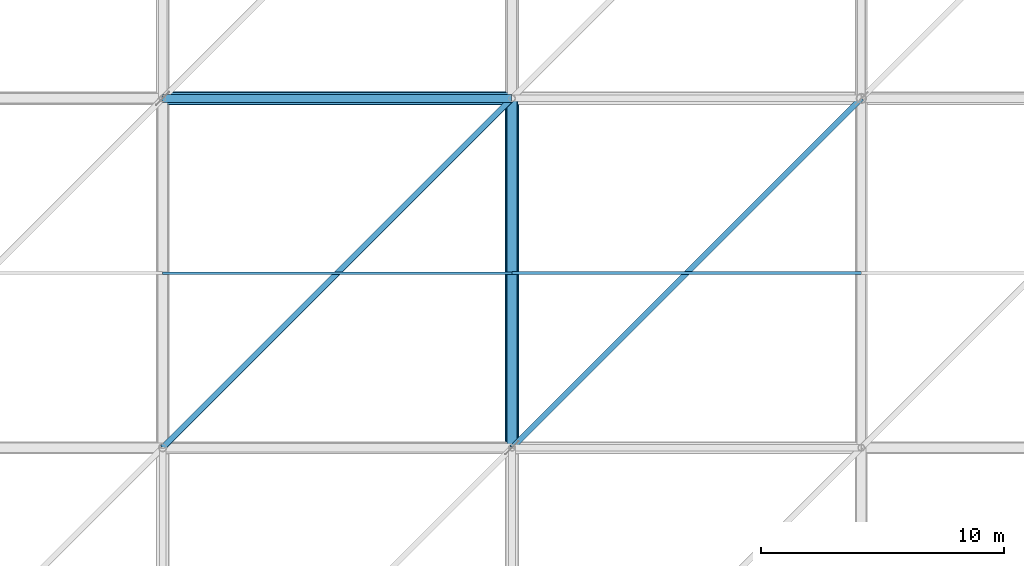
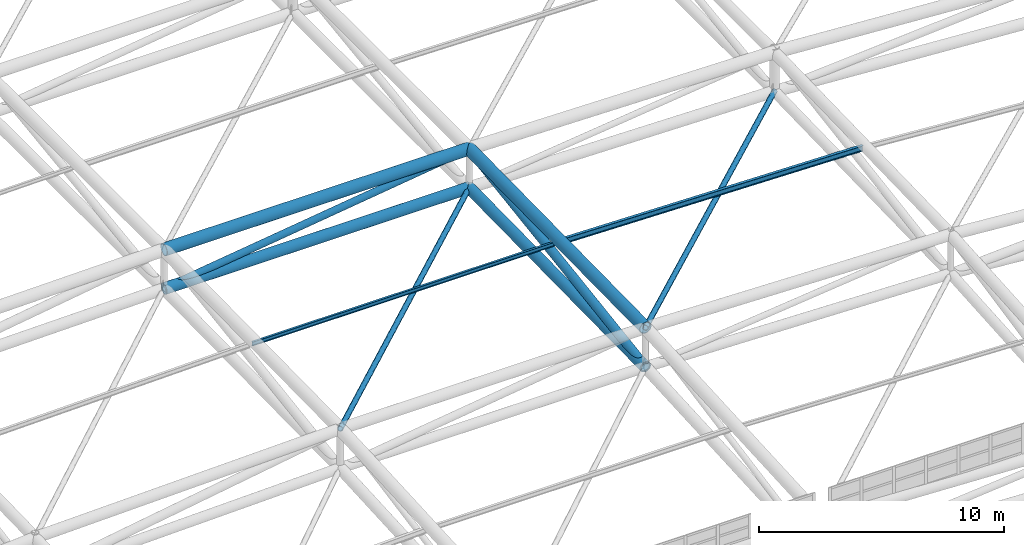
# One storey, part 134 of 397: 6 members, 4 beams.
"""IFC4 building model written with IfcOpenShell, lengths in metres."""

from ifc_helpers import new_model, si_unit, direction, frame, origin, origin_2d, place, context, subcontext, project, spatial, hollow_circle, i_section, extrude, material, material_profile, profile_set, type_object, element, save


model = new_model("IFC4")

# Units and contexts
model_context = context("Model", 3, precision=1e-05, world=origin(), true_north=direction((0.0, 1.0)))
body_context = subcontext(model_context, "Body", "Model", "MODEL_VIEW")
ifc_project = project(units=[si_unit("LENGTHUNIT", "METRE"), si_unit("AREAUNIT", "SQUARE_METRE"), si_unit("VOLUMEUNIT", "CUBIC_METRE"), si_unit("PLANEANGLEUNIT", "RADIAN"), si_unit("MASSUNIT", "GRAM", prefix="KILO")], contexts=[model_context])

# Site, building, storey
site_placement = place(None, origin())
site = spatial("IfcSite", under=ifc_project, at=site_placement, CompositionType="ELEMENT")
building_placement = place(site_placement, origin())
building = spatial("IfcBuilding", under=site, at=building_placement, Name="Qandorah Velis Arena", CompositionType="ELEMENT")
storey_placement = place(building_placement, frame((0.0, 0.0, 27.5)))
storey = spatial("IfcBuildingStorey", under=building, at=storey_placement, Name="RF", CompositionType="ELEMENT", Elevation=27.5)

# Members
ifc_material = material(Name="Steel S355", Category="steel")
ifc_material_profile_1 = material_profile(ifc_material, i_section(OverallWidth=0.10009765625, OverallDepth=0.199951171875, WebThickness=0.005615234375, FlangeThickness=0.008544921875, FilletRadius=0.011962890625, at=origin_2d()), Name="IPE 200")
ifc_profile_set_1 = profile_set([ifc_material_profile_1], Name="Steel S355")
member_type_1 = type_object("IfcMemberType", Name="STR-PRL-IPE200", PredefinedType="PURLIN", material=ifc_profile_set_1)
member_1_placement = place(storey_placement, frame((57.60009765625, 50.39990234375, 10.257568359375), z_axis=(1.0, 0.0, 0.0), x_axis=(0.0, 1.0, 0.0)))
element("IfcMember", 1, at=member_1_placement, inside=storey, type_object=member_type_1, Name="Arena roof purlin PRL-3.2", PredefinedType="PURLIN", context=body_context, shape_type="SweptSolid", body=[
    extrude(i_section(OverallWidth=0.10009765625, OverallDepth=0.199951171875, WebThickness=0.005615234375, FlangeThickness=0.008544921875, FilletRadius=0.011962890625, at=origin_2d()), origin(), (0.0, 0.0, 1.0), 14.39990234375),
])
ifc_material_profile_2 = material_profile(ifc_material, i_section(OverallWidth=0.135009765625, OverallDepth=0.27001953125, WebThickness=0.006591796875, FlangeThickness=0.01025390625, FilletRadius=0.014892578125, at=origin_2d()), Name="IPE 270")
ifc_profile_set_2 = profile_set([ifc_material_profile_2], Name="Steel S355")
member_type_2 = type_object("IfcMemberType", Name="STR-PRL-IPE270", PredefinedType="PURLIN", material=ifc_profile_set_2)
member_2_placement = place(storey_placement, frame((72.0, 50.39990234375, 10.257568359375), z_axis=(0.999770450895, 0.0, -0.021425347562), x_axis=(0.0, 1.0, 0.0)))
element("IfcMember", 2, at=member_2_placement, inside=storey, type_object=member_type_2, Name="Arena roof purlin PRL-4.2", PredefinedType="PURLIN", context=body_context, shape_type="SweptSolid", body=[
    extrude(i_section(OverallWidth=0.135009765625, OverallDepth=0.27001953125, WebThickness=0.006591796875, FlangeThickness=0.01025390625, FilletRadius=0.014892578125, at=origin_2d()), origin(), (0.0, 0.0, 1.0), 14.4033203125),
])

# Beams
ifc_material_profile_3 = material_profile(ifc_material, hollow_circle(Radius=0.25390625, WallThickness=0.02490234375, at=origin_2d()), Name="CHS 508x25")
ifc_profile_set_3 = profile_set([ifc_material_profile_3], Name="Steel S355")
beam_type_1 = type_object("IfcBeamType", Name="STR-SFC-CHS508X25", PredefinedType="USERDEFINED", material=ifc_profile_set_3)
beam_1_placement = place(storey_placement, frame((72.0, 43.199951171875, 8.42333984375), z_axis=(0.0, 0.999895199404, 0.014477230732), x_axis=(-1.0, 0.0, 0.0)))
element("IfcBeam", 3, at=beam_1_placement, inside=storey, type_object=beam_type_1, Name="Space frame roof truss bottom chord Y 4.2", ObjectType="ROOF TRUSS", PredefinedType="USERDEFINED", context=body_context, shape_type="SweptSolid", body=[
    extrude(hollow_circle(Radius=0.25390625, WallThickness=0.02490234375, at=origin_2d()), origin(), (0.0, 0.0, 1.0), 14.401611328125),
])
beam_2_placement = place(storey_placement, frame((57.60009765625, 57.60009765625, 8.6318359375), z_axis=(1.0, 0.0, 0.0), x_axis=(0.0, 1.0, 0.0)))
element("IfcBeam", 4, at=beam_2_placement, inside=storey, type_object=beam_type_1, Name="Space frame roof truss bottom chord X 3.3", ObjectType="ROOF TRUSS", PredefinedType="USERDEFINED", context=body_context, shape_type="SweptSolid", body=[
    extrude(hollow_circle(Radius=0.25390625, WallThickness=0.02490234375, at=origin_2d()), origin(), (0.0, 0.0, 1.0), 14.39990234375),
])
ifc_material_profile_4 = material_profile(ifc_material, hollow_circle(Radius=0.279541015625, WallThickness=0.02490234375, at=origin_2d()), Name="CHS 559x25")
ifc_profile_set_4 = profile_set([ifc_material_profile_4], Name="Steel S355")
beam_type_2 = type_object("IfcBeamType", Name="STR-SFC-CHS559X25", PredefinedType="USERDEFINED", material=ifc_profile_set_4)
beam_3_placement = place(storey_placement, frame((72.0, 43.199951171875, 10.373291015625), z_axis=(0.0, 0.999895199404, 0.014477230732), x_axis=(-1.0, 0.0, 0.0)))
element("IfcBeam", 5, at=beam_3_placement, inside=storey, type_object=beam_type_2, Name="Space frame roof truss top chord Y 4.2", ObjectType="ROOF TRUSS", PredefinedType="USERDEFINED", context=body_context, shape_type="SweptSolid", body=[
    extrude(hollow_circle(Radius=0.279541015625, WallThickness=0.02490234375, at=origin_2d()), origin(), (0.0, 0.0, 1.0), 14.401611328125),
])
beam_4_placement = place(storey_placement, frame((57.60009765625, 57.60009765625, 10.581787109375), z_axis=(1.0, 0.0, 0.0), x_axis=(0.0, 1.0, 0.0)))
element("IfcBeam", 6, at=beam_4_placement, inside=storey, type_object=beam_type_2, Name="Space frame roof truss top chord X 3.3", ObjectType="ROOF TRUSS", PredefinedType="USERDEFINED", context=body_context, shape_type="SweptSolid", body=[
    extrude(hollow_circle(Radius=0.279541015625, WallThickness=0.02490234375, at=origin_2d()), origin(), (0.0, 0.0, 1.0), 14.39990234375),
])

# Members
ifc_material_profile_5 = material_profile(ifc_material, hollow_circle(Radius=0.122314453125, WallThickness=0.012451171875, at=origin_2d()), Name="CHS 244.5x12.5")
ifc_profile_set_5 = profile_set([ifc_material_profile_5], Name="Steel S355")
member_type_3 = type_object("IfcMemberType", Name="STR-SFD-CHS244X12", PredefinedType="STRUT", material=ifc_profile_set_5)
member_3_placement = place(storey_placement, frame((72.0, 57.60009765625, 8.6318359375), z_axis=(-0.704529529731, -0.704541474553, 0.085202419985), x_axis=(0.707112775369, -0.707100786953, 0.0)))
element("IfcMember", 7, at=member_3_placement, inside=storey, type_object=member_type_3, Name="Space frame roof spatial diagonal 3.2", PredefinedType="STRUT", context=body_context, shape_type="SweptSolid", body=[
    extrude(hollow_circle(Radius=0.122314453125, WallThickness=0.012451171875, at=origin_2d()), origin(), (0.0, 0.0, 1.0), 20.43896484375),
])
member_4_placement = place(storey_placement, frame((86.39990234375, 57.60009765625, 8.39892578125), z_axis=(-0.703800882204, -0.703812814672, 0.096497876206), x_axis=(0.707112775369, -0.707100786953, 0.0)))
element("IfcMember", 8, at=member_4_placement, inside=storey, type_object=member_type_3, Name="Space frame roof spatial diagonal 4.2", PredefinedType="STRUT", context=body_context, shape_type="SweptSolid", body=[
    extrude(hollow_circle(Radius=0.122314453125, WallThickness=0.012451171875, at=origin_2d()), origin(), (0.0, 0.0, 1.0), 20.460205078125),
])
ifc_material_profile_6 = material_profile(ifc_material, hollow_circle(Radius=0.161865234375, WallThickness=0.01611328125, at=origin_2d()), Name="CHS 323.9x16")
ifc_profile_set_6 = profile_set([ifc_material_profile_6], Name="Steel S355")
member_type_4 = type_object("IfcMemberType", Name="STR-SFD-CHS323X16", PredefinedType="CHORD", material=ifc_profile_set_6)
member_5_placement = place(storey_placement, frame((57.60009765625, 57.60009765625, 8.6318359375), z_axis=(0.990955693773, 0.0, 0.134189466721), x_axis=(0.0, 1.0, 0.0)))
element("IfcMember", 9, at=member_5_placement, inside=storey, type_object=member_type_4, Name="Space frame roof diagonal X 3.3", PredefinedType="CHORD", context=body_context, shape_type="SweptSolid", body=[
    extrude(hollow_circle(Radius=0.161865234375, WallThickness=0.01611328125, at=origin_2d()), origin(), (0.0, 0.0, 1.0), 14.53125),
])
ifc_material_profile_7 = material_profile(ifc_material, hollow_circle(Radius=0.203125, WallThickness=0.01611328125, at=origin_2d()), Name="CHS 406.4x16")
ifc_profile_set_7 = profile_set([ifc_material_profile_7], Name="Steel S355")
member_type_5 = type_object("IfcMemberType", Name="STR-SFD-CHS406X16", PredefinedType="STRUT", material=ifc_profile_set_7)
member_6_placement = place(storey_placement, frame((72.0, 43.199951171875, 8.42333984375), z_axis=(0.0, 0.988952212067, 0.148234686382), x_axis=(-1.0, 0.0, 0.0)))
element("IfcMember", 10, at=member_6_placement, inside=storey, type_object=member_type_5, Name="Space frame roof diagonal Y 4.2", PredefinedType="STRUT", context=body_context, shape_type="SweptSolid", body=[
    extrude(hollow_circle(Radius=0.203125, WallThickness=0.01611328125, at=origin_2d()), origin(), (0.0, 0.0, 1.0), 14.56103515625),
])

save(model, "model.ifc")
